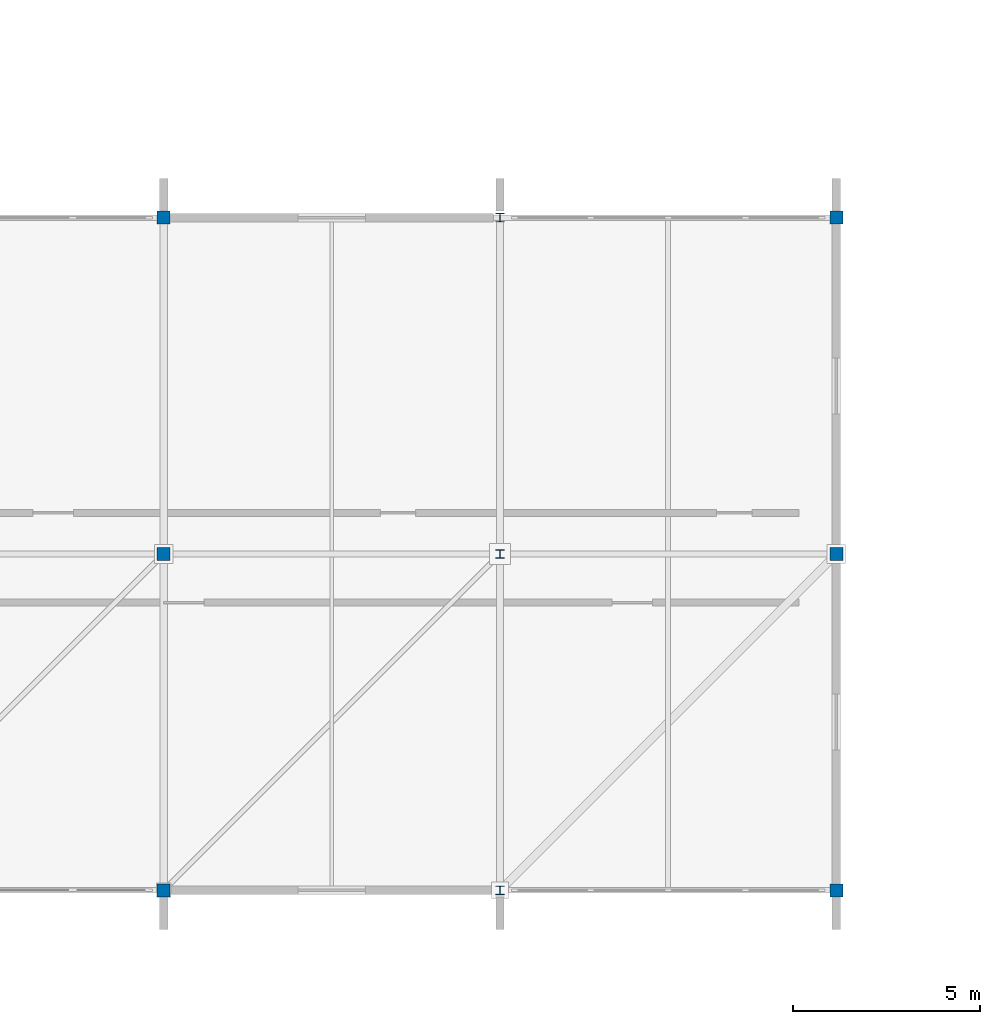
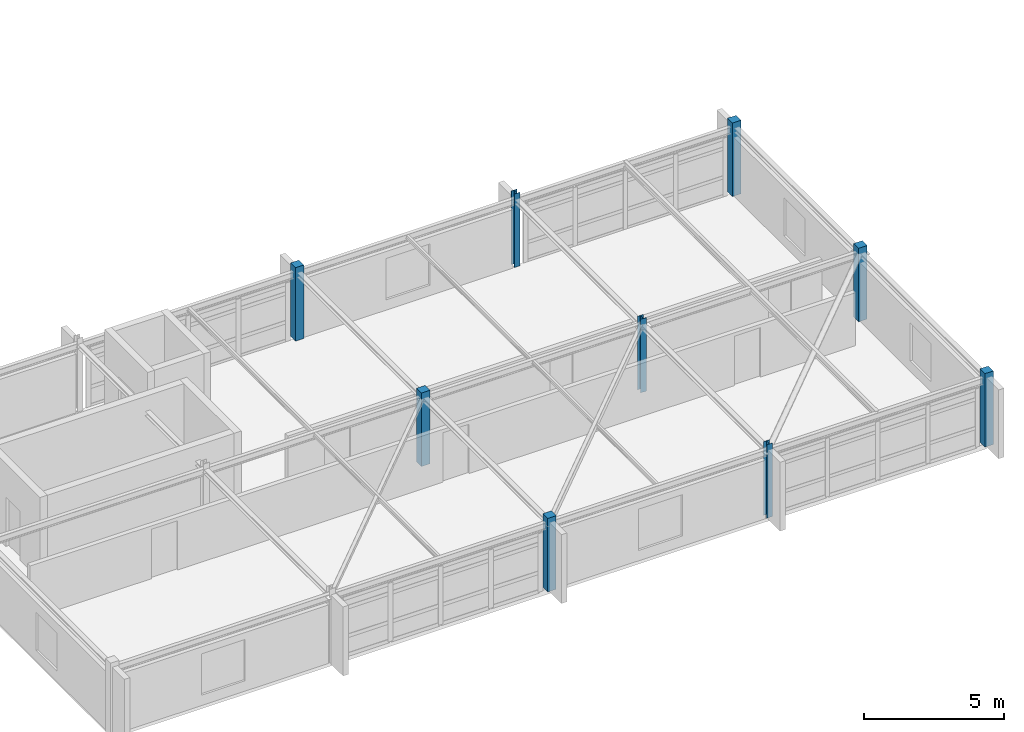
# One storey, part 8 of 83: 9 columns.
"""IFC4 building model written with IfcOpenShell, lengths in metres."""

from ifc_helpers import new_model, si_unit, direction, frame, origin, origin_2d, place, context, subcontext, project, spatial, rectangle, i_section, extrude, material, material_profile, profile_set, type_object, element, save


model = new_model("IFC4")

# Units and contexts
model_context = context("Model", 3, precision=1e-05, world=origin(), true_north=direction((0.0, 1.0)))
body_context = subcontext(model_context, "Body", "Model", "MODEL_VIEW")
ifc_project = project(units=[si_unit("LENGTHUNIT", "METRE"), si_unit("AREAUNIT", "SQUARE_METRE"), si_unit("VOLUMEUNIT", "CUBIC_METRE"), si_unit("PLANEANGLEUNIT", "RADIAN"), si_unit("MASSUNIT", "GRAM", prefix="KILO")], contexts=[model_context])

# Site, building, storey
site_placement = place(None, origin())
site = spatial("IfcSite", under=ifc_project, at=site_placement, CompositionType="ELEMENT")
building_placement = place(site_placement, origin())
building = spatial("IfcBuilding", under=site, at=building_placement, Name="Zimvara Arc Housing Community", CompositionType="ELEMENT")
storey_placement = place(building_placement, frame((0.0, 0.0, 4.5)))
storey = spatial("IfcBuildingStorey", under=building, at=storey_placement, Name="L01", CompositionType="ELEMENT", Elevation=4.5)

# Columns
ifc_material_1 = material(Name="Concrete C40/50", Category="concrete")
ifc_material_profile_1 = material_profile(ifc_material_1, rectangle(XDim=0.35009765625, YDim=0.35009765625, at=origin_2d()), Name="RC 350x350")
ifc_profile_set_1 = profile_set([ifc_material_profile_1], Name="Concrete C40/50")
column_type_1 = type_object("IfcColumnType", Name="COL-RC-350x350", PredefinedType="COLUMN", material=ifc_profile_set_1)
for number, where, z_axis, x_axis, name in (
    (1, (130.0, 3.60009765625, 0.0), (0.0, 0.0, 1.0), (1.0, 0.0, 0.0), "col:nursery:L01:x2:y0"),
    (2, (130.0, 12.60009765625, 0.0), (0.0, 0.0, 1.0), (1.0, 0.0, 0.0), "col:nursery:L01:x2:y1"),
    (3, (130.0, 21.60009765625, 0.0), (0.0, 0.0, 1.0), (1.0, 0.0, 0.0), "col:nursery:L01:x2:y2"),
    (4, (148.0, 3.60009765625, 0.0), (0.0, 0.0, 1.0), (1.0, 0.0, 0.0), "col:nursery:L01:x4:y0"),
    (5, (148.0, 12.60009765625, 0.0), (0.0, 0.0, 1.0), (1.0, 0.0, 0.0), "col:nursery:L01:x4:y1"),
    (6, (148.0, 21.60009765625, 0.0), (0.0, 0.0, 1.0), (1.0, 0.0, 0.0), "col:nursery:L01:x4:y2"),
):
    element("IfcColumn", number, at=place(storey_placement, frame(where, z_axis=z_axis, x_axis=x_axis)), inside=storey, type_object=column_type_1, Name=name, PredefinedType="COLUMN", context=body_context, shape_type="SweptSolid", body=[
        extrude(rectangle(XDim=0.35009765625, YDim=0.35009765625, at=origin_2d()), origin(), (0.0, 0.0, 1.0), 3.199951171875),
    ])
ifc_material_2 = material(Name="Steel S355", Category="steel")
ifc_material_profile_2 = material_profile(ifc_material_2, i_section(OverallWidth=0.239990234375, OverallDepth=0.22998046875, WebThickness=0.007568359375, FlangeThickness=0.011962890625, FilletRadius=0.02099609375, at=origin_2d()), Name="HEA 240")
ifc_profile_set_2 = profile_set([ifc_material_profile_2], Name="Steel S355")
column_type_2 = type_object("IfcColumnType", Name="COL-ST-HEA240", PredefinedType="COLUMN", material=ifc_profile_set_2)
for number, where, z_axis, x_axis, name in (
    (7, (139.0, 3.60009765625, 0.0), (0.0, 0.0, 1.0), (1.0, 0.0, 0.0), "col:nursery:L01:x3:y0"),
    (8, (139.0, 12.60009765625, 0.0), (0.0, 0.0, 1.0), (1.0, 0.0, 0.0), "col:nursery:L01:x3:y1"),
    (9, (139.0, 21.60009765625, 0.0), (0.0, 0.0, 1.0), (1.0, 0.0, 0.0), "col:nursery:L01:x3:y2"),
):
    element("IfcColumn", number, at=place(storey_placement, frame(where, z_axis=z_axis, x_axis=x_axis)), inside=storey, type_object=column_type_2, Name=name, PredefinedType="COLUMN", context=body_context, shape_type="SweptSolid", body=[
        extrude(i_section(OverallWidth=0.239990234375, OverallDepth=0.22998046875, WebThickness=0.007568359375, FlangeThickness=0.011962890625, FilletRadius=0.02099609375, at=origin_2d()), origin(), (0.0, 0.0, 1.0), 3.199951171875),
    ])

save(model, "model.ifc")
